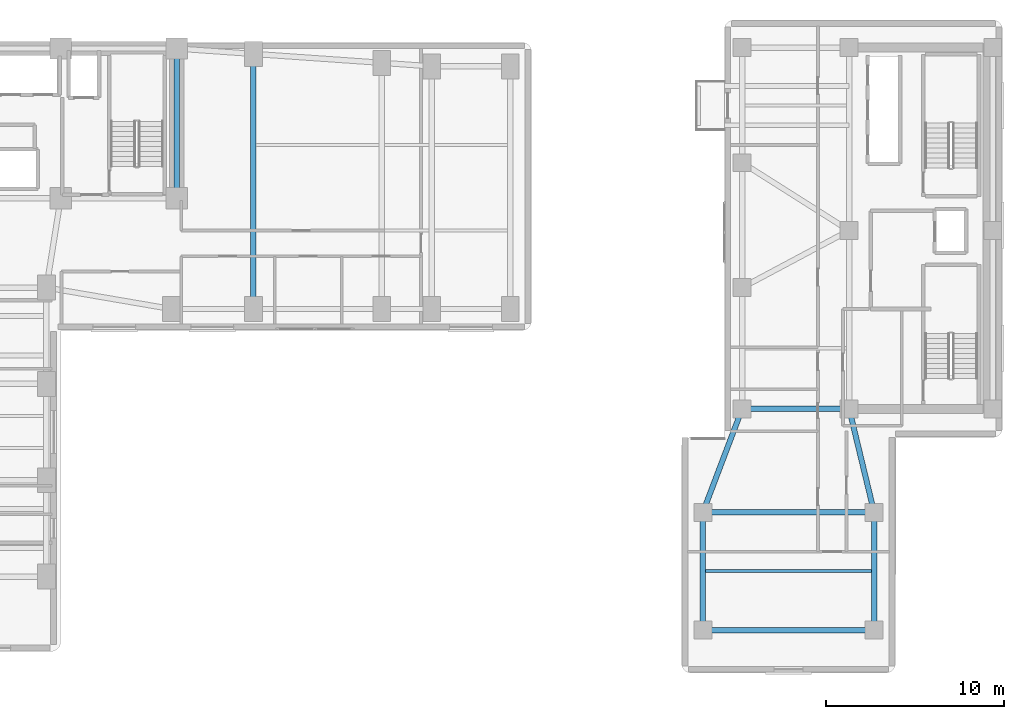
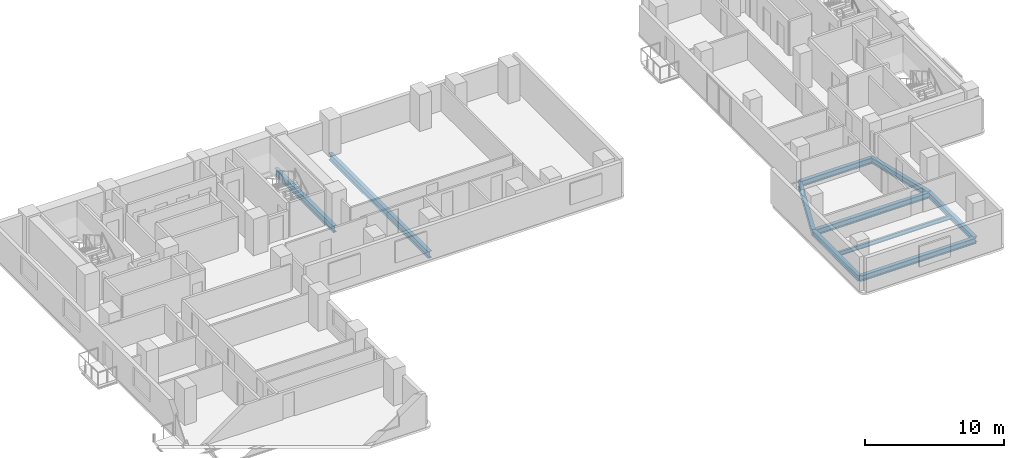
# One storey, part 5 of 17: 10 beams.
"""IFC4 building model written with IfcOpenShell, lengths in metres."""

from ifc_helpers import new_model, si_unit, direction, frame, origin, origin_2d, place, context, subcontext, project, spatial, i_section, extrude, material, material_profile, profile_set, type_object, element, save


model = new_model("IFC4")

# Units and contexts
model_context = context("Model", 3, precision=1e-05, world=origin(), true_north=direction((0.0, 1.0)))
body_context = subcontext(model_context, "Body", "Model", "MODEL_VIEW")
ifc_project = project(units=[si_unit("LENGTHUNIT", "METRE"), si_unit("AREAUNIT", "SQUARE_METRE"), si_unit("VOLUMEUNIT", "CUBIC_METRE"), si_unit("PLANEANGLEUNIT", "RADIAN"), si_unit("MASSUNIT", "GRAM", prefix="KILO")], contexts=[model_context])

# Site, building, storey
site_placement = place(None, origin())
site = spatial("IfcSite", under=ifc_project, at=site_placement, CompositionType="ELEMENT")
building_placement = place(site_placement, origin())
building = spatial("IfcBuilding", under=site, at=building_placement, Name="Kuzgunbayir Cultural Tower", CompositionType="ELEMENT")
storey_placement = place(building_placement, frame((0.0, 0.0, 50.0)))
storey = spatial("IfcBuildingStorey", under=building, at=storey_placement, Name="L13", CompositionType="ELEMENT", Elevation=50.0)

# Beams
ifc_material = material(Name="Steel S355J2", Category="steel")
ifc_material_profile_1 = material_profile(ifc_material, i_section(OverallWidth=0.300048828125, OverallDepth=0.5, WebThickness=0.014404296875, FlangeThickness=0.028076171875, FilletRadius=0.027099609375, at=origin_2d()), Name="HEB 500")
ifc_profile_set_1 = profile_set([ifc_material_profile_1], Name="Steel S355J2")
beam_type_1 = type_object("IfcBeamType", Name="BM-EXT-HEB500", PredefinedType="BEAM", material=ifc_profile_set_1)
beam_1_placement = place(storey_placement, frame((56.39990234375, 9.60009765625, -0.429931640625), z_axis=(0.0, 1.0, 0.0), x_axis=(-1.0, 0.0, 0.0)))
element("IfcBeam", 1, at=beam_1_placement, inside=storey, type_object=beam_type_1, Name="L13 Companion Wing B West Girder", PredefinedType="BEAM", context=body_context, shape_type="SweptSolid", body=[
    extrude(i_section(OverallWidth=0.300048828125, OverallDepth=0.5, WebThickness=0.014404296875, FlangeThickness=0.028076171875, FilletRadius=0.027099609375, at=origin_2d()), origin(), (0.0, 0.0, 1.0), 6.599853515625),
])
beam_2_placement = place(storey_placement, frame((56.39990234375, 16.199951171875, -0.429931640625), z_axis=(0.354679148754, 0.93498807556, 0.0), x_axis=(-0.93498807556, 0.354679148754, 0.0)))
element("IfcBeam", 2, at=beam_2_placement, inside=storey, type_object=beam_type_1, Name="L13 Companion Wing B Floor Girder W", PredefinedType="BEAM", context=body_context, shape_type="SweptSolid", body=[
    extrude(i_section(OverallWidth=0.300048828125, OverallDepth=0.5, WebThickness=0.014404296875, FlangeThickness=0.028076171875, FilletRadius=0.027099609375, at=origin_2d()), origin(), (0.0, 0.0, 1.0), 6.203369140625),
])
beam_3_placement = place(storey_placement, frame((66.0, 9.60009765625, -0.429931640625), z_axis=(0.0, 1.0, 0.0), x_axis=(-1.0, 0.0, 0.0)))
element("IfcBeam", 3, at=beam_3_placement, inside=storey, type_object=beam_type_1, Name="L13 Companion Wing B East Girder", PredefinedType="BEAM", context=body_context, shape_type="SweptSolid", body=[
    extrude(i_section(OverallWidth=0.300048828125, OverallDepth=0.5, WebThickness=0.014404296875, FlangeThickness=0.028076171875, FilletRadius=0.027099609375, at=origin_2d()), origin(), (0.0, 0.0, 1.0), 6.599853515625),
])
beam_4_placement = place(storey_placement, frame((66.0, 16.199951171875, -0.429931640625), z_axis=(-0.234623200431, 0.972086392158, 0.0), x_axis=(-0.972086392158, -0.234623200431, 0.0)))
element("IfcBeam", 4, at=beam_4_placement, inside=storey, type_object=beam_type_1, Name="L13 Companion Wing B Floor Girder E", PredefinedType="BEAM", context=body_context, shape_type="SweptSolid", body=[
    extrude(i_section(OverallWidth=0.300048828125, OverallDepth=0.5, WebThickness=0.014404296875, FlangeThickness=0.028076171875, FilletRadius=0.027099609375, at=origin_2d()), origin(), (0.0, 0.0, 1.0), 5.966552734375),
])
beam_5_placement = place(storey_placement, frame((56.39990234375, 9.60009765625, -0.429931640625), z_axis=(1.0, 0.0, 0.0), x_axis=(0.0, 1.0, 0.0)))
element("IfcBeam", 5, at=beam_5_placement, inside=storey, type_object=beam_type_1, Name="L13 Companion Wing B South Girder", PredefinedType="BEAM", context=body_context, shape_type="SweptSolid", body=[
    extrude(i_section(OverallWidth=0.300048828125, OverallDepth=0.5, WebThickness=0.014404296875, FlangeThickness=0.028076171875, FilletRadius=0.027099609375, at=origin_2d()), origin(), (0.0, 0.0, 1.0), 9.60009765625),
])
ifc_material_profile_2 = material_profile(ifc_material, i_section(OverallWidth=0.300048828125, OverallDepth=0.5, WebThickness=0.014404296875, FlangeThickness=0.028076171875, FilletRadius=0.027099609375, at=origin_2d()), Name="HEB 500")
ifc_profile_set_2 = profile_set([ifc_material_profile_2], Name="Steel S355J2")
beam_type_2 = type_object("IfcBeamType", Name="BM-GIR-HEB500", PredefinedType="BEAM", material=ifc_profile_set_2)
beam_6_placement = place(storey_placement, frame((58.60009765625, 22.0, -0.429931640625), z_axis=(1.0, 0.0, 0.0), x_axis=(0.0, 1.0, 0.0)))
element("IfcBeam", 6, at=beam_6_placement, inside=storey, type_object=beam_type_2, Name="L13 Companion Transverse Girder 1", PredefinedType="BEAM", context=body_context, shape_type="SweptSolid", body=[
    extrude(i_section(OverallWidth=0.300048828125, OverallDepth=0.5, WebThickness=0.014404296875, FlangeThickness=0.028076171875, FilletRadius=0.027099609375, at=origin_2d()), origin(), (0.0, 0.0, 1.0), 6.0),
])
beam_7_placement = place(storey_placement, frame((56.39990234375, 16.199951171875, -0.429931640625), z_axis=(1.0, 0.0, 0.0), x_axis=(0.0, 1.0, 0.0)))
element("IfcBeam", 7, at=beam_7_placement, inside=storey, type_object=beam_type_2, Name="L13 Companion Wing B Mid Girder", PredefinedType="BEAM", context=body_context, shape_type="SweptSolid", body=[
    extrude(i_section(OverallWidth=0.300048828125, OverallDepth=0.5, WebThickness=0.014404296875, FlangeThickness=0.028076171875, FilletRadius=0.027099609375, at=origin_2d()), origin(), (0.0, 0.0, 1.0), 9.60009765625),
])
ifc_material_profile_3 = material_profile(ifc_material, i_section(OverallWidth=0.300048828125, OverallDepth=0.60009765625, WebThickness=0.015380859375, FlangeThickness=0.030029296875, FilletRadius=0.027099609375, at=origin_2d()), Name="HEB 600")
ifc_profile_set_3 = profile_set([ifc_material_profile_3], Name="Steel S355J2")
beam_type_3 = type_object("IfcBeamType", Name="BM-GIR-HEB600", PredefinedType="BEAM", material=ifc_profile_set_3)
beam_8_placement = place(storey_placement, frame((26.89990234375, 33.800048828125, -0.47998046875), z_axis=(0.0, 1.0, 0.0), x_axis=(-1.0, 0.0, 0.0)))
element("IfcBeam", 8, at=beam_8_placement, inside=storey, type_object=beam_type_3, Name="L13 Core East Edge Girder", PredefinedType="BEAM", context=body_context, shape_type="SweptSolid", body=[
    extrude(i_section(OverallWidth=0.300048828125, OverallDepth=0.60009765625, WebThickness=0.015380859375, FlangeThickness=0.030029296875, FilletRadius=0.027099609375, at=origin_2d()), origin(), (0.0, 0.0, 1.0), 8.39990234375),
])
beam_9_placement = place(storey_placement, frame((31.199951171875, 27.60009765625, -0.47998046875), z_axis=(0.0, 1.0, 0.0), x_axis=(-1.0, 0.0, 0.0)))
element("IfcBeam", 9, at=beam_9_placement, inside=storey, type_object=beam_type_3, Name="L13 Wing B Cross Girder 31", PredefinedType="BEAM", context=body_context, shape_type="SweptSolid", body=[
    extrude(i_section(OverallWidth=0.300048828125, OverallDepth=0.60009765625, WebThickness=0.015380859375, FlangeThickness=0.030029296875, FilletRadius=0.027099609375, at=origin_2d()), origin(), (0.0, 0.0, 1.0), 14.2998046875),
])
ifc_material_profile_4 = material_profile(ifc_material, i_section(OverallWidth=0.169921875, OverallDepth=0.360107421875, WebThickness=0.008056640625, FlangeThickness=0.0126953125, FilletRadius=0.01806640625, at=origin_2d()), Name="IPE 360")
ifc_profile_set_4 = profile_set([ifc_material_profile_4], Name="Steel S355J2")
beam_type_4 = type_object("IfcBeamType", Name="BM-JST-IPE360", PredefinedType="JOIST", material=ifc_profile_set_4)
beam_10_placement = place(storey_placement, frame((56.550048828125, 12.89990234375, -0.360107421875), z_axis=(1.0, 0.0, 0.0), x_axis=(0.0, 1.0, 0.0)))
element("IfcBeam", 10, at=beam_10_placement, inside=storey, type_object=beam_type_4, Name="L13 Companion Wing B Joist", PredefinedType="JOIST", context=body_context, shape_type="SweptSolid", body=[
    extrude(i_section(OverallWidth=0.169921875, OverallDepth=0.360107421875, WebThickness=0.008056640625, FlangeThickness=0.0126953125, FilletRadius=0.01806640625, at=origin_2d()), origin(), (0.0, 0.0, 1.0), 9.300048828125),
])

save(model, "model.ifc")
